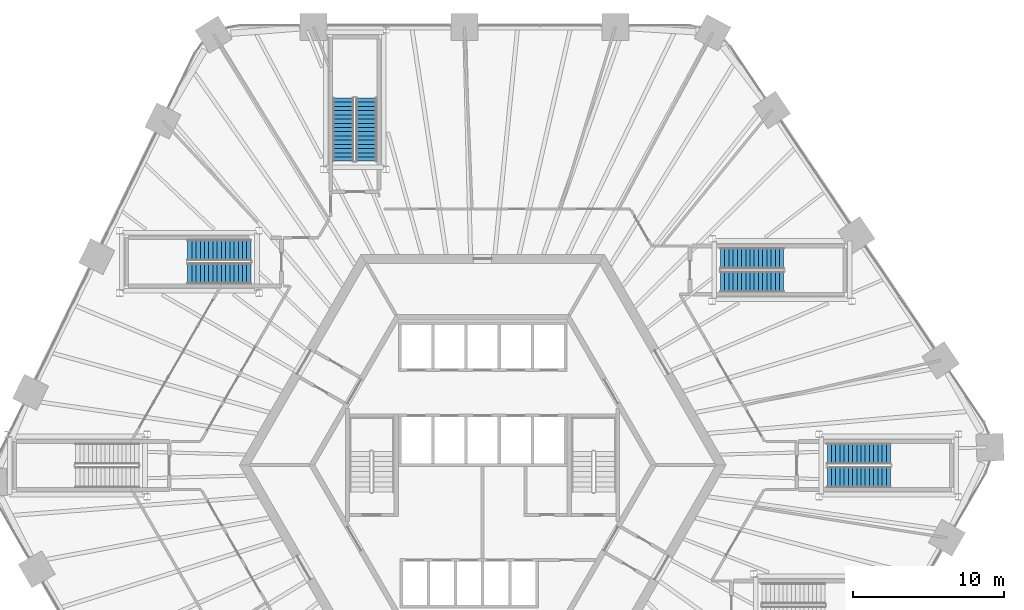
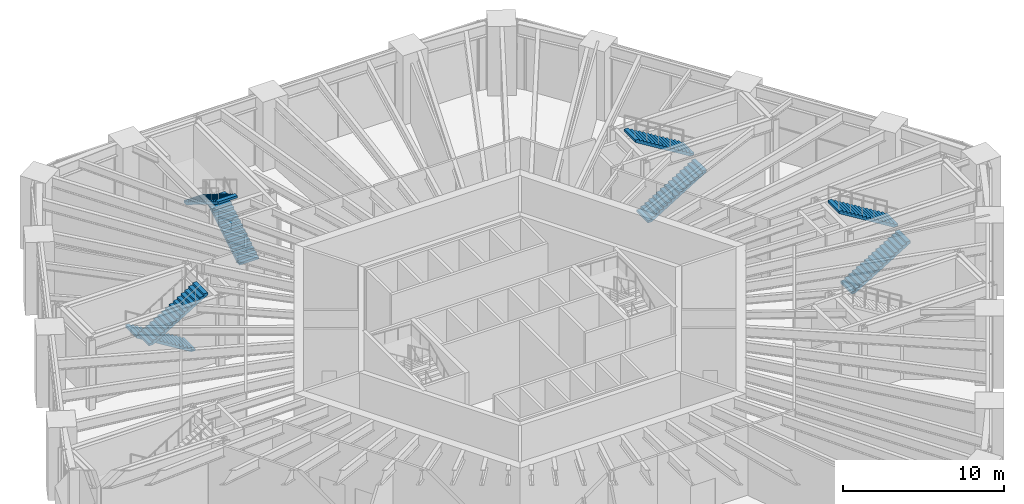
# One storey, part 26 of 30: 8 stair flights, 4 elements without a shape of their own.
"""IFC4 building model written with IfcOpenShell, lengths in metres."""

import ifcopenshell
import ifcopenshell.guid

model = None  # the IFC model being written
_history = None  # IfcOwnerHistory: only IFC2X3 demands one
_inside = {}  # id of a spatial element -> (the spatial element, [elements in it])
_under = {}  # id of a project, library or spatial element -> (it, [spatial elements below it])
_declared = {}  # id of a project -> (the project, [libraries it declares])
_typed = {}  # id of a type object -> (the type object, [elements of that type])
_made_of = {}  # id of a material, layer set ... -> (it, [elements and type objects made of it])


def new_model(schema):
    """Start an empty IFC model of exactly this schema.

    Asked for "IFC4X3", IfcOpenShell would pick the latest addendum, in which some entities
    have other attributes; the version numbers below select the first issue.
    IFC2X3 requires an IfcOwnerHistory on every rooted entity: one is made here for all.
    """
    global model, _history
    if schema == "IFC4X3":
        model = ifcopenshell.file(schema_version=(4, 3, 0, 0))
    else:
        model = ifcopenshell.file(schema=schema)
    _inside.clear()
    _under.clear()
    _declared.clear()
    _typed.clear()
    _made_of.clear()
    _history = None
    if model.schema == "IFC2X3":
        org = make("IfcOrganization", Name="unknown")
        user = make(
            "IfcPersonAndOrganization",
            ThePerson=make("IfcPerson", FamilyName="unknown"),
            TheOrganization=org,
        )
        app = make(
            "IfcApplication",
            ApplicationDeveloper=org,
            Version="unknown",
            ApplicationFullName="unknown",
            ApplicationIdentifier="unknown",
        )
        _history = make(
            "IfcOwnerHistory",
            OwningUser=user,
            OwningApplication=app,
            ChangeAction="ADDED",
            CreationDate=0,
        )
    return model


def make(cls, **values):
    """One entity of the class cls with the attributes given. An attribute that is None is left unset."""
    return model.create_entity(
        cls, **{name: value for name, value in values.items() if value is not None}
    )


def rooted(cls, **values):
    """An entity with a GlobalId (a new one), such as an element, a storey or a relation."""
    return make(cls, GlobalId=ifcopenshell.guid.new(), OwnerHistory=_history, **values)


def si_unit(unit_type, name, prefix=None):
    """IfcSIUnit, for example si_unit("LENGTHUNIT", "METRE", prefix="MILLI")."""
    return make("IfcSIUnit", UnitType=unit_type, Prefix=prefix, Name=name)


def assignment(units):
    """IfcUnitAssignment: the units of a project."""
    return None if units is None else make("IfcUnitAssignment", Units=units)


def point(xyz):
    """IfcCartesianPoint."""
    return None if xyz is None else make("IfcCartesianPoint", Coordinates=xyz)


def direction(xyz):
    """IfcDirection."""
    return None if xyz is None else make("IfcDirection", DirectionRatios=xyz)


def frame(location, z_axis=None, x_axis=None):
    """IfcAxis2Placement3D, a coordinate frame: its origin and axes. An axis left out is left unset."""
    return make(
        "IfcAxis2Placement3D",
        Location=point(location),
        Axis=direction(z_axis),
        RefDirection=direction(x_axis),
    )


def origin():
    """The frame at (0, 0, 0) with its axes left unset."""
    return frame((0.0, 0.0, 0.0))


def place(relative_to, where):
    """IfcLocalPlacement: puts the frame where relative to a parent placement (None: the world)."""
    return make(
        "IfcLocalPlacement", PlacementRelTo=relative_to, RelativePlacement=where
    )


def context(
    kind, dimensions, precision=None, world=None, true_north=None, identifier=None
):
    """IfcGeometricRepresentationContext, for example the 3D "Model" context."""
    return make(
        "IfcGeometricRepresentationContext",
        ContextIdentifier=identifier,
        ContextType=kind,
        CoordinateSpaceDimension=dimensions,
        Precision=precision,
        WorldCoordinateSystem=world,
        TrueNorth=true_north,
    )


def subcontext(parent, identifier, kind, view, scale=None):
    """IfcGeometricRepresentationSubContext, for example "Body" below "Model"."""
    return make(
        "IfcGeometricRepresentationSubContext",
        ContextIdentifier=identifier,
        ContextType=kind,
        ParentContext=parent,
        TargetScale=scale,
        TargetView=view,
    )


def project(units=None, contexts=None):
    """IfcProject with its units and contexts."""
    return rooted(
        "IfcProject",
        Name="project",
        RepresentationContexts=contexts,
        UnitsInContext=assignment(units),
    )


def spatial(cls, under=None, at=None, **own):
    """A site, building, storey or space (cls), placed at a placement, below another one or the project."""
    s = rooted(cls, ObjectPlacement=at, **own)
    if under is not None:
        _under.setdefault(under.id(), (under, []))[1].append(s)
    return s


def polyline(points):
    """IfcPolyline through the points."""
    return make("IfcPolyline", Points=[point(p) for p in points])


def outline(outer, holes=None, kind="AREA"):
    """IfcArbitraryClosedProfileDef: a profile drawn as a closed curve; with holes, ...WithVoids."""
    if holes is None:
        return make("IfcArbitraryClosedProfileDef", ProfileType=kind, OuterCurve=outer)
    return make(
        "IfcArbitraryProfileDefWithVoids",
        ProfileType=kind,
        OuterCurve=outer,
        InnerCurves=holes,
    )


def extrude(swept, where, along, depth):
    """IfcExtrudedAreaSolid: the profile swept, set in the frame where, extruded along a direction by depth."""
    return make(
        "IfcExtrudedAreaSolid",
        SweptArea=swept,
        Position=where,
        ExtrudedDirection=direction(along),
        Depth=depth,
    )


def shape(context_of_items, identifier, shape_type, items):
    """IfcShapeRepresentation: the items that make up one representation, for example the "Body"."""
    return make(
        "IfcShapeRepresentation",
        ContextOfItems=context_of_items,
        RepresentationIdentifier=identifier,
        RepresentationType=shape_type,
        Items=items,
    )


def material(Name=None, Category=None):
    """IfcMaterial."""
    return make("IfcMaterial", Name=Name, Category=Category)


def made_of(thing, what):
    """Note that an element or type object is made of a material, layer set ...; save() writes the relation."""
    if what is not None:
        _made_of.setdefault(what.id(), (what, []))[1].append(thing)
    return thing


def type_object(cls, material=None, **own):
    """A type object (cls), such as IfcWallType, which elements share."""
    return made_of(rooted(cls, **own), material)


def element(
    cls,
    number,
    at=None,
    inside=None,
    cuts=None,
    type_object=None,
    material=None,
    context=None,
    identifier="Body",
    shape_type=None,
    held_by="IfcProductDefinitionShape",
    body=None,
    shapes=None,
    **own,
):
    """One element of the class cls, such as IfcWall. Its Tag is "e" and its number.

    at: its placement. inside: the storey or other place that contains it. cuts: it is an
    opening in that element (IfcRelVoidsElement). A single representation is given by context,
    identifier, shape_type and body (its items); several are given by shapes. held_by: the class
    of the entity that holds the representations. save() writes the other relations.
    """
    e = rooted(cls, Tag="e%d" % number, ObjectPlacement=at, **own)
    if body is not None:
        shapes = [shape(context, identifier, shape_type, body)]
    if shapes is not None:
        e.Representation = make(held_by, Representations=shapes)
    if inside is not None:
        _inside.setdefault(inside.id(), (inside, []))[1].append(e)
    if cuts is not None:
        rooted(
            "IfcRelVoidsElement", RelatingBuildingElement=cuts, RelatedOpeningElement=e
        )
    if type_object is not None:
        _typed.setdefault(type_object.id(), (type_object, []))[1].append(e)
    return made_of(e, material)


def aggregate(whole, parts):
    """IfcRelAggregates: a whole, such as a stair, and the parts it consists of."""
    return rooted("IfcRelAggregates", RelatingObject=whole, RelatedObjects=parts)


def save(model, path):
    """Write the relations noted so far, then the file.

    IfcRelAggregates (storeys below a building ...), IfcRelContainedInSpatialStructure (elements
    in a storey), IfcRelDefinesByType, IfcRelAssociatesMaterial and IfcRelDeclares: one each for
    every whole, place, type object, material and project.
    """
    for whole, parts in _under.values():
        aggregate(whole, parts)
    for where, things in _inside.values():
        rooted(
            "IfcRelContainedInSpatialStructure",
            RelatedElements=things,
            RelatingStructure=where,
        )
    for kind, things in _typed.values():
        rooted("IfcRelDefinesByType", RelatedObjects=things, RelatingType=kind)
    for what, things in _made_of.values():
        rooted("IfcRelAssociatesMaterial", RelatedObjects=things, RelatingMaterial=what)
    for by, libraries in _declared.values():
        rooted("IfcRelDeclares", RelatingContext=by, RelatedDefinitions=libraries)
    model.write(path)


model = new_model("IFC4")

# Units and contexts
model_context = context("Model", 3, precision=1e-05, world=origin(), true_north=direction((0.0, 1.0)))
body_context = subcontext(model_context, "Body", "Model", "MODEL_VIEW")
ifc_project = project(units=[si_unit("LENGTHUNIT", "METRE"), si_unit("AREAUNIT", "SQUARE_METRE"), si_unit("VOLUMEUNIT", "CUBIC_METRE"), si_unit("PLANEANGLEUNIT", "RADIAN"), si_unit("MASSUNIT", "GRAM", prefix="KILO")], contexts=[model_context])

# Site, building, storey
site_placement = place(None, origin())
site = spatial("IfcSite", under=ifc_project, at=site_placement, CompositionType="ELEMENT")
building_placement = place(site_placement, origin())
building = spatial("IfcBuilding", under=site, at=building_placement, Name="Tarnside Tower", CompositionType="ELEMENT")
storey_placement = place(building_placement, frame((0.0, 0.0, 15.0)))
storey = spatial("IfcBuildingStorey", under=building, at=storey_placement, Name="L02", CompositionType="ELEMENT", Elevation=15.0)

# Stair, stair flights
ifc_material = material(Name="Concrete C40/50", Category="concrete")
stair_type = type_object("IfcStairType", Name="Podium exit stair 1400 clear", PredefinedType="HALF_TURN_STAIR", material=ifc_material)
stair_1_placement = place(storey_placement, origin())
stair_1 = element("IfcStair", 1, at=stair_1_placement, inside=storey, type_object=stair_type, Name="L02 Podium exit stair 1", PredefinedType="HALF_TURN_STAIR")
stair_flight_type = type_object("IfcStairFlightType", Name="Podium exit stair flight 1400", PredefinedType="STRAIGHT", material=ifc_material)
stair_flight_1_placement = place(storey_placement, frame((-7.71484375, 20.179931640625, 0.0), z_axis=(0.0, 0.0, 1.0), x_axis=(0.0, 1.0, 0.0)))
stair_flight_1 = element("IfcStairFlight", 2, at=stair_flight_1_placement, type_object=stair_flight_type, Name="PS1 flight 1", NumberOfRisers=16, NumberOfTreads=15, PredefinedType="STRAIGHT", RiserHeight=0.171875, TreadLength=0.28, context=body_context, shape_type="SweptSolid", body=[
    extrude(outline(polyline([(0.0, 0.0), (0.0, 0.171875), (0.280029296875, 0.171875), (0.280029296875, 0.34375), (0.56005859375, 0.34375), (0.56005859375, 0.515625), (0.840087890625, 0.515625), (0.840087890625, 0.6875), (1.1201171875, 0.6875), (1.1201171875, 0.859375), (1.39990234375, 0.859375), (1.39990234375, 1.03125), (1.679931640625, 1.03125), (1.679931640625, 1.203125), (1.9599609375, 1.203125), (1.9599609375, 1.375), (2.239990234375, 1.375), (2.239990234375, 1.546875), (2.52001953125, 1.546875), (2.52001953125, 1.71875), (2.800048828125, 1.71875), (2.800048828125, 1.890625), (3.080078125, 1.890625), (3.080078125, 2.0625), (3.360107421875, 2.0625), (3.360107421875, 2.234375), (3.639892578125, 2.234375), (3.639892578125, 2.40625), (3.919921875, 2.40625), (3.919921875, 2.578125), (4.199951171875, 2.578125), (4.199951171875, 2.75), (4.199951171875, 2.40234375), (0.28662109375, 0.0), (0.0, 0.0)])), frame((0.0, 0.699951171875, 0.0), z_axis=(0.0, -1.0, 0.0), x_axis=(1.0, 0.0, 0.0)), (0.0, 0.0, 1.0), 1.39990234375),
])
stair_flight_2_placement = place(storey_placement, frame((-9.2646484375, 24.3798828125, 2.75), z_axis=(0.0, 0.0, 1.0), x_axis=(0.0, -1.0, 0.0)))
stair_flight_2 = element("IfcStairFlight", 3, at=stair_flight_2_placement, type_object=stair_flight_type, Name="PS1 flight 2", NumberOfRisers=16, NumberOfTreads=15, PredefinedType="STRAIGHT", RiserHeight=0.171875, TreadLength=0.28, context=body_context, shape_type="SweptSolid", body=[
    extrude(outline(polyline([(0.0, 0.0), (0.0, 0.171875), (0.280029296875, 0.171875), (0.280029296875, 0.34375), (0.56005859375, 0.34375), (0.56005859375, 0.515625), (0.840087890625, 0.515625), (0.840087890625, 0.6875), (1.1201171875, 0.6875), (1.1201171875, 0.859375), (1.39990234375, 0.859375), (1.39990234375, 1.03125), (1.679931640625, 1.03125), (1.679931640625, 1.203125), (1.9599609375, 1.203125), (1.9599609375, 1.375), (2.239990234375, 1.375), (2.239990234375, 1.546875), (2.52001953125, 1.546875), (2.52001953125, 1.71875), (2.800048828125, 1.71875), (2.800048828125, 1.890625), (3.080078125, 1.890625), (3.080078125, 2.0625), (3.360107421875, 2.0625), (3.360107421875, 2.234375), (3.639892578125, 2.234375), (3.639892578125, 2.40625), (3.919921875, 2.40625), (3.919921875, 2.578125), (4.199951171875, 2.578125), (4.199951171875, 2.75), (4.199951171875, 2.40234375), (0.28662109375, 0.0), (0.0, 0.0)])), frame((0.0, 0.699951171875, 0.0), z_axis=(0.0, -1.0, 0.0), x_axis=(1.0, 0.0, 0.0)), (0.0, 0.0, 1.0), 1.39990234375),
])
aggregate(stair_1, [stair_flight_1, stair_flight_2])

stair_2_placement = place(storey_placement, origin())
stair_2 = element("IfcStair", 4, at=stair_2_placement, inside=storey, type_object=stair_type, Name="L02 Podium exit stair 3", PredefinedType="HALF_TURN_STAIR")
stair_flight_3_placement = place(storey_placement, frame((22.8798828125, -0.800048828125, 0.0), z_axis=(0.0, 0.0, 1.0), x_axis=(1.0, 0.0, 0.0)))
stair_flight_3 = element("IfcStairFlight", 5, at=stair_flight_3_placement, type_object=stair_flight_type, Name="PS3 flight 1", NumberOfRisers=16, NumberOfTreads=15, PredefinedType="STRAIGHT", RiserHeight=0.171875, TreadLength=0.28, context=body_context, shape_type="SweptSolid", body=[
    extrude(outline(polyline([(0.0, 0.0), (0.0, 0.171875), (0.280029296875, 0.171875), (0.280029296875, 0.34375), (0.56005859375, 0.34375), (0.56005859375, 0.515625), (0.840087890625, 0.515625), (0.840087890625, 0.6875), (1.1201171875, 0.6875), (1.1201171875, 0.859375), (1.39990234375, 0.859375), (1.39990234375, 1.03125), (1.679931640625, 1.03125), (1.679931640625, 1.203125), (1.9599609375, 1.203125), (1.9599609375, 1.375), (2.239990234375, 1.375), (2.239990234375, 1.546875), (2.52001953125, 1.546875), (2.52001953125, 1.71875), (2.800048828125, 1.71875), (2.800048828125, 1.890625), (3.080078125, 1.890625), (3.080078125, 2.0625), (3.360107421875, 2.0625), (3.360107421875, 2.234375), (3.639892578125, 2.234375), (3.639892578125, 2.40625), (3.919921875, 2.40625), (3.919921875, 2.578125), (4.199951171875, 2.578125), (4.199951171875, 2.75), (4.199951171875, 2.40234375), (0.28662109375, 0.0), (0.0, 0.0)])), frame((0.0, 0.699951171875, 0.0), z_axis=(0.0, -1.0, 0.0), x_axis=(1.0, 0.0, 0.0)), (0.0, 0.0, 1.0), 1.39990234375),
])
stair_flight_4_placement = place(storey_placement, frame((27.080078125, 0.75, 2.75), z_axis=(0.0, 0.0, 1.0), x_axis=(-1.0, 0.0, 0.0)))
stair_flight_4 = element("IfcStairFlight", 6, at=stair_flight_4_placement, type_object=stair_flight_type, Name="PS3 flight 2", NumberOfRisers=16, NumberOfTreads=15, PredefinedType="STRAIGHT", RiserHeight=0.171875, TreadLength=0.28, context=body_context, shape_type="SweptSolid", body=[
    extrude(outline(polyline([(0.0, 0.0), (0.0, 0.171875), (0.280029296875, 0.171875), (0.280029296875, 0.34375), (0.56005859375, 0.34375), (0.56005859375, 0.515625), (0.840087890625, 0.515625), (0.840087890625, 0.6875), (1.1201171875, 0.6875), (1.1201171875, 0.859375), (1.39990234375, 0.859375), (1.39990234375, 1.03125), (1.679931640625, 1.03125), (1.679931640625, 1.203125), (1.9599609375, 1.203125), (1.9599609375, 1.375), (2.239990234375, 1.375), (2.239990234375, 1.546875), (2.52001953125, 1.546875), (2.52001953125, 1.71875), (2.800048828125, 1.71875), (2.800048828125, 1.890625), (3.080078125, 1.890625), (3.080078125, 2.0625), (3.360107421875, 2.0625), (3.360107421875, 2.234375), (3.639892578125, 2.234375), (3.639892578125, 2.40625), (3.919921875, 2.40625), (3.919921875, 2.578125), (4.199951171875, 2.578125), (4.199951171875, 2.75), (4.199951171875, 2.40234375), (0.28662109375, 0.0), (0.0, 0.0)])), frame((0.0, 0.699951171875, 0.0), z_axis=(0.0, -1.0, 0.0), x_axis=(1.0, 0.0, 0.0)), (0.0, 0.0, 1.0), 1.39990234375),
])
aggregate(stair_2, [stair_flight_3, stair_flight_4])

stair_3_placement = place(storey_placement, origin())
stair_3 = element("IfcStair", 7, at=stair_3_placement, inside=storey, type_object=stair_type, Name="L02 Podium exit stair 4", PredefinedType="HALF_TURN_STAIR")
stair_flight_5_placement = place(storey_placement, frame((15.7900390625, 12.175048828125, 0.0), z_axis=(0.0, 0.0, 1.0), x_axis=(1.0, 0.0, 0.0)))
stair_flight_5 = element("IfcStairFlight", 8, at=stair_flight_5_placement, type_object=stair_flight_type, Name="PS4 flight 1", NumberOfRisers=16, NumberOfTreads=15, PredefinedType="STRAIGHT", RiserHeight=0.171875, TreadLength=0.28, context=body_context, shape_type="SweptSolid", body=[
    extrude(outline(polyline([(0.0, 0.0), (0.0, 0.171875), (0.280029296875, 0.171875), (0.280029296875, 0.34375), (0.56005859375, 0.34375), (0.56005859375, 0.515625), (0.840087890625, 0.515625), (0.840087890625, 0.6875), (1.1201171875, 0.6875), (1.1201171875, 0.859375), (1.39990234375, 0.859375), (1.39990234375, 1.03125), (1.679931640625, 1.03125), (1.679931640625, 1.203125), (1.9599609375, 1.203125), (1.9599609375, 1.375), (2.239990234375, 1.375), (2.239990234375, 1.546875), (2.52001953125, 1.546875), (2.52001953125, 1.71875), (2.800048828125, 1.71875), (2.800048828125, 1.890625), (3.080078125, 1.890625), (3.080078125, 2.0625), (3.360107421875, 2.0625), (3.360107421875, 2.234375), (3.639892578125, 2.234375), (3.639892578125, 2.40625), (3.919921875, 2.40625), (3.919921875, 2.578125), (4.199951171875, 2.578125), (4.199951171875, 2.75), (4.199951171875, 2.40234375), (0.28662109375, 0.0), (0.0, 0.0)])), frame((0.0, 0.699951171875, 0.0), z_axis=(0.0, -1.0, 0.0), x_axis=(1.0, 0.0, 0.0)), (0.0, 0.0, 1.0), 1.39990234375),
])
stair_flight_6_placement = place(storey_placement, frame((19.989990234375, 13.72509765625, 2.75), z_axis=(0.0, 0.0, 1.0), x_axis=(-1.0, 0.0, 0.0)))
stair_flight_6 = element("IfcStairFlight", 9, at=stair_flight_6_placement, type_object=stair_flight_type, Name="PS4 flight 2", NumberOfRisers=16, NumberOfTreads=15, PredefinedType="STRAIGHT", RiserHeight=0.171875, TreadLength=0.28, context=body_context, shape_type="SweptSolid", body=[
    extrude(outline(polyline([(0.0, 0.0), (0.0, 0.171875), (0.280029296875, 0.171875), (0.280029296875, 0.34375), (0.56005859375, 0.34375), (0.56005859375, 0.515625), (0.840087890625, 0.515625), (0.840087890625, 0.6875), (1.1201171875, 0.6875), (1.1201171875, 0.859375), (1.39990234375, 0.859375), (1.39990234375, 1.03125), (1.679931640625, 1.03125), (1.679931640625, 1.203125), (1.9599609375, 1.203125), (1.9599609375, 1.375), (2.239990234375, 1.375), (2.239990234375, 1.546875), (2.52001953125, 1.546875), (2.52001953125, 1.71875), (2.800048828125, 1.71875), (2.800048828125, 1.890625), (3.080078125, 1.890625), (3.080078125, 2.0625), (3.360107421875, 2.0625), (3.360107421875, 2.234375), (3.639892578125, 2.234375), (3.639892578125, 2.40625), (3.919921875, 2.40625), (3.919921875, 2.578125), (4.199951171875, 2.578125), (4.199951171875, 2.75), (4.199951171875, 2.40234375), (0.28662109375, 0.0), (0.0, 0.0)])), frame((0.0, 0.699951171875, 0.0), z_axis=(0.0, -1.0, 0.0), x_axis=(1.0, 0.0, 0.0)), (0.0, 0.0, 1.0), 1.39990234375),
])
aggregate(stair_3, [stair_flight_5, stair_flight_6])

stair_4_placement = place(storey_placement, origin())
stair_4 = element("IfcStair", 10, at=stair_4_placement, inside=storey, type_object=stair_type, Name="L02 Podium exit stair 6", PredefinedType="HALF_TURN_STAIR")
stair_flight_7_placement = place(storey_placement, frame((-15.389892578125, 14.27490234375, 0.0), z_axis=(0.0, 0.0, 1.0), x_axis=(-1.0, 0.0, 0.0)))
stair_flight_7 = element("IfcStairFlight", 11, at=stair_flight_7_placement, type_object=stair_flight_type, Name="PS6 flight 1", NumberOfRisers=16, NumberOfTreads=15, PredefinedType="STRAIGHT", RiserHeight=0.171875, TreadLength=0.28, context=body_context, shape_type="SweptSolid", body=[
    extrude(outline(polyline([(0.0, 0.0), (0.0, 0.171875), (0.280029296875, 0.171875), (0.280029296875, 0.34375), (0.56005859375, 0.34375), (0.56005859375, 0.515625), (0.840087890625, 0.515625), (0.840087890625, 0.6875), (1.1201171875, 0.6875), (1.1201171875, 0.859375), (1.39990234375, 0.859375), (1.39990234375, 1.03125), (1.679931640625, 1.03125), (1.679931640625, 1.203125), (1.9599609375, 1.203125), (1.9599609375, 1.375), (2.239990234375, 1.375), (2.239990234375, 1.546875), (2.52001953125, 1.546875), (2.52001953125, 1.71875), (2.800048828125, 1.71875), (2.800048828125, 1.890625), (3.080078125, 1.890625), (3.080078125, 2.0625), (3.360107421875, 2.0625), (3.360107421875, 2.234375), (3.639892578125, 2.234375), (3.639892578125, 2.40625), (3.919921875, 2.40625), (3.919921875, 2.578125), (4.199951171875, 2.578125), (4.199951171875, 2.75), (4.199951171875, 2.40234375), (0.28662109375, 0.0), (0.0, 0.0)])), frame((0.0, 0.699951171875, 0.0), z_axis=(0.0, -1.0, 0.0), x_axis=(1.0, 0.0, 0.0)), (0.0, 0.0, 1.0), 1.39990234375),
])
stair_flight_8_placement = place(storey_placement, frame((-19.590087890625, 12.72509765625, 2.75), z_axis=(0.0, 0.0, 1.0), x_axis=(1.0, 0.0, 0.0)))
stair_flight_8 = element("IfcStairFlight", 12, at=stair_flight_8_placement, type_object=stair_flight_type, Name="PS6 flight 2", NumberOfRisers=16, NumberOfTreads=15, PredefinedType="STRAIGHT", RiserHeight=0.171875, TreadLength=0.28, context=body_context, shape_type="SweptSolid", body=[
    extrude(outline(polyline([(0.0, 0.0), (0.0, 0.171875), (0.280029296875, 0.171875), (0.280029296875, 0.34375), (0.56005859375, 0.34375), (0.56005859375, 0.515625), (0.840087890625, 0.515625), (0.840087890625, 0.6875), (1.1201171875, 0.6875), (1.1201171875, 0.859375), (1.39990234375, 0.859375), (1.39990234375, 1.03125), (1.679931640625, 1.03125), (1.679931640625, 1.203125), (1.9599609375, 1.203125), (1.9599609375, 1.375), (2.239990234375, 1.375), (2.239990234375, 1.546875), (2.52001953125, 1.546875), (2.52001953125, 1.71875), (2.800048828125, 1.71875), (2.800048828125, 1.890625), (3.080078125, 1.890625), (3.080078125, 2.0625), (3.360107421875, 2.0625), (3.360107421875, 2.234375), (3.639892578125, 2.234375), (3.639892578125, 2.40625), (3.919921875, 2.40625), (3.919921875, 2.578125), (4.199951171875, 2.578125), (4.199951171875, 2.75), (4.199951171875, 2.40234375), (0.28662109375, 0.0), (0.0, 0.0)])), frame((0.0, 0.699951171875, 0.0), z_axis=(0.0, -1.0, 0.0), x_axis=(1.0, 0.0, 0.0)), (0.0, 0.0, 1.0), 1.39990234375),
])
aggregate(stair_4, [stair_flight_7, stair_flight_8])

save(model, "model.ifc")
